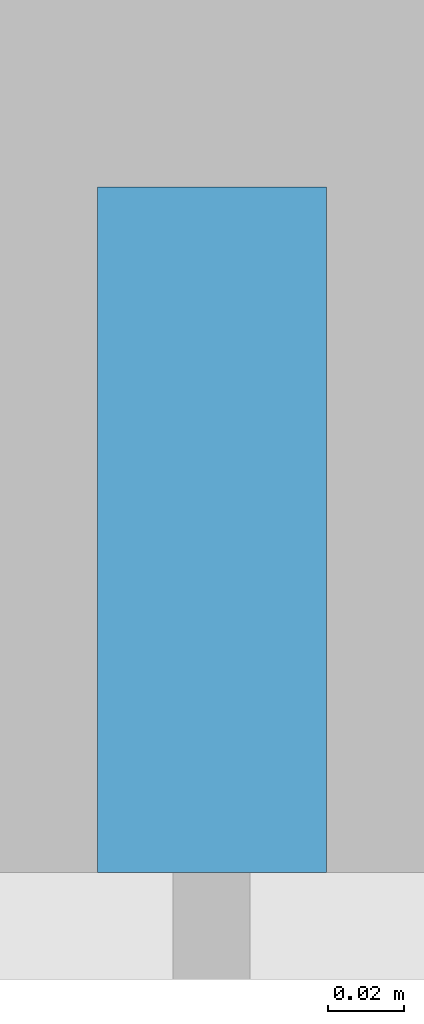
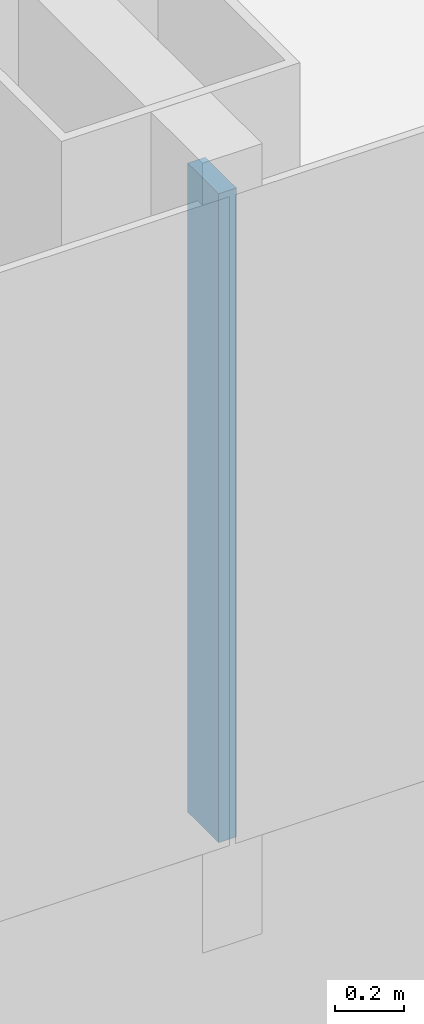
# One storey, part 4 of 29: 1 member, 1 element without a shape of its own.
"""IFC4 building model written with IfcOpenShell, lengths in metres."""

from ifc_helpers import new_model, si_unit, direction, frame, origin, origin_2d, place, context, subcontext, project, spatial, rectangle, extrude, material, layer, layer_set, material_profile, profile_set, type_object, element, aggregate, save


model = new_model("IFC4")

# Units and contexts
model_context = context("Model", 3, precision=1e-05, world=origin(), true_north=direction((0.0, 1.0)))
body_context = subcontext(model_context, "Body", "Model", "MODEL_VIEW")
ifc_project = project(units=[si_unit("LENGTHUNIT", "METRE"), si_unit("AREAUNIT", "SQUARE_METRE"), si_unit("VOLUMEUNIT", "CUBIC_METRE"), si_unit("PLANEANGLEUNIT", "RADIAN"), si_unit("MASSUNIT", "GRAM", prefix="KILO")], contexts=[model_context])

# Site, building, storey
site_placement = place(None, origin())
site = spatial("IfcSite", under=ifc_project, at=site_placement, CompositionType="ELEMENT")
building_placement = place(site_placement, origin())
building = spatial("IfcBuilding", under=site, at=building_placement, Name="Hakoniwa Tower and Hamabe Station Hall", CompositionType="ELEMENT")
storey_placement = place(building_placement, frame((0.0, 0.0, 78.60009765625)))
storey = spatial("IfcBuildingStorey", under=building, at=storey_placement, Name="L21", CompositionType="ELEMENT", Elevation=78.60009765625)

# Curtain wall, member
ifc_material_1 = material(Name="Dark low-e laminated glass", Category="glass")
ifc_layer = layer(ifc_material_1, 0.199951171875)
ifc_layer_set = layer_set([ifc_layer], Name="CW-1 UNITISED GUEST")
curtain_wall_type = type_object("IfcCurtainWallType", Name="CW-1 UNITISED GUEST", PredefinedType="NOTDEFINED", material=ifc_layer_set)
curtain_wall_placement = place(storey_placement, origin())
curtain_wall = element("IfcCurtainWall", 1, at=curtain_wall_placement, inside=storey, type_object=curtain_wall_type, Name="CW-1 curtain wall", PredefinedType="NOTDEFINED")
ifc_material_2 = material(Name="Aluminium 6063-T5 black anodised", Category="aluminium")
ifc_material_profile = material_profile(ifc_material_2, rectangle(XDim=0.06005859375, YDim=0.179931640625, at=origin_2d()), Name="CW-1 MULLION 60X180")
ifc_profile_set = profile_set([ifc_material_profile], Name="Aluminium 6063-T5 black anodised")
member_type = type_object("IfcMemberType", Name="CW-1 MULLION 60X180", PredefinedType="MULLION", material=ifc_profile_set)
member_placement = place(storey_placement, frame((-8.39990234375, -15.431884765625, 0.349853515625), z_axis=(0.0, 0.0, 1.0), x_axis=(1.0, 0.0, 0.0)))
member = element("IfcMember", 2, at=member_placement, type_object=member_type, Name="CW-1 mullion", PredefinedType="MULLION", context=body_context, shape_type="SweptSolid", body=[
    extrude(rectangle(XDim=0.06005859375, YDim=0.179931640625, at=origin_2d()), origin(), (0.0, 0.0, 1.0), 2.300048828125),
])
aggregate(curtain_wall, [member])

save(model, "model.ifc")
